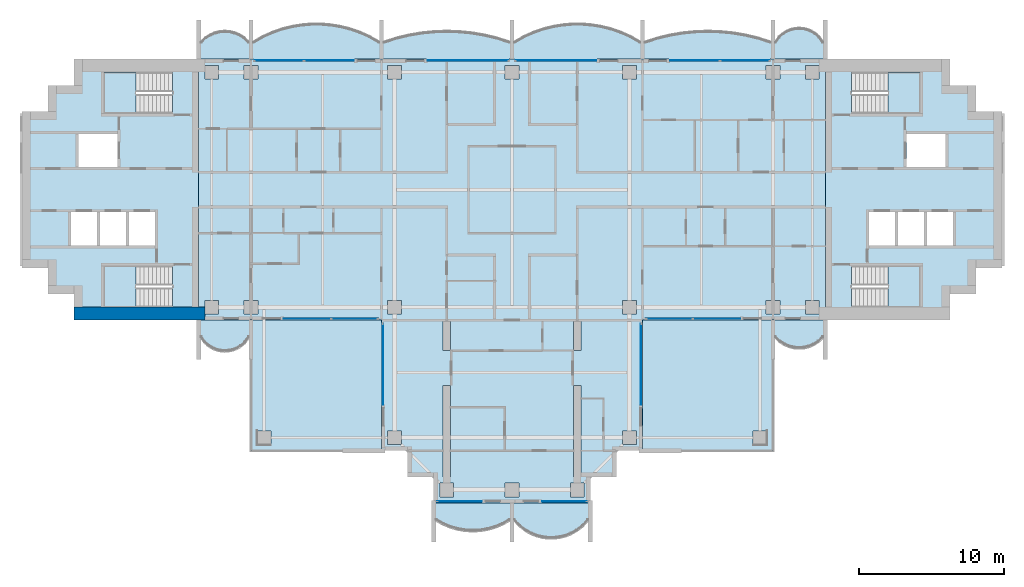
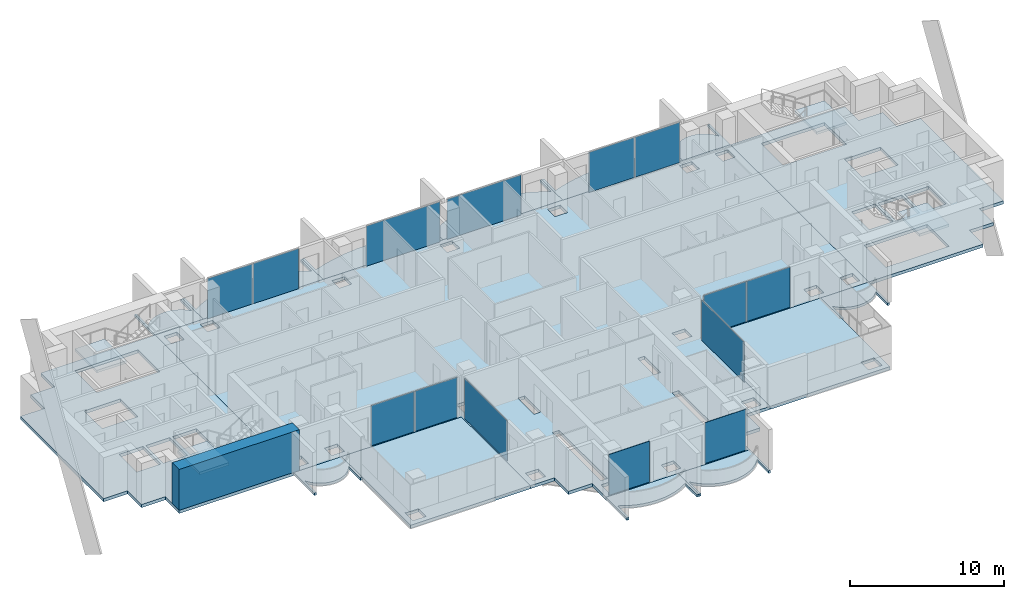
# One storey, part 7 of 17: 19 slabs, 14 plates, 1 wall, 14 elements without a shape of their own.
"""IFC4 building model written with IfcOpenShell, lengths in metres."""

from ifc_helpers import new_model, si_unit, direction, frame, frame_2d, origin, origin_2d, place, context, subcontext, project, spatial, polyline, rectangle, outline, extrude, material, layer, layer_set, type_object, element, aggregate, save


model = new_model("IFC4")

# Units and contexts
model_context = context("Model", 3, precision=1e-05, world=origin(), true_north=direction((0.0, 1.0)))
body_context = subcontext(model_context, "Body", "Model", "MODEL_VIEW")
ifc_project = project(units=[si_unit("LENGTHUNIT", "METRE"), si_unit("AREAUNIT", "SQUARE_METRE"), si_unit("VOLUMEUNIT", "CUBIC_METRE"), si_unit("PLANEANGLEUNIT", "RADIAN"), si_unit("MASSUNIT", "GRAM", prefix="KILO")], contexts=[model_context])

# Site, building, storey
site_placement = place(None, origin())
site = spatial("IfcSite", under=ifc_project, at=site_placement, CompositionType="ELEMENT")
building_placement = place(site_placement, origin())
building = spatial("IfcBuilding", under=site, at=building_placement, Name="Perihelion Cross Residences", CompositionType="ELEMENT")
storey_placement = place(building_placement, frame((0.0, 0.0, 205.10009765625)))
storey = spatial("IfcBuildingStorey", under=building, at=storey_placement, Name="L51", CompositionType="ELEMENT", Elevation=205.10009765625)

# Slabs
ifc_material_1 = material(Name="Concrete C40/50", Category="concrete")
ifc_layer_1 = layer(ifc_material_1, 0.199951171875)
ifc_layer_set_1 = layer_set([ifc_layer_1], Name="Balcony slab 200")
slab_type_1 = type_object("IfcSlabType", Name="Balcony slab 200", PredefinedType="FLOOR", material=ifc_layer_set_1)
slab_1_placement = place(storey_placement, frame((0.0, 0.0, -0.2001953125)))
element("IfcSlab", 1, at=slab_1_placement, inside=storey, type_object=slab_type_1, Name="Slab BK1 L51 east side north bay 1 balcony", PredefinedType="FLOOR", context=body_context, shape_type="SweptSolid", body=[
    extrude(outline(polyline([(21.60009765625, 9.0), (18.0, 9.0), (18.0, 11.699951171875), (18.14990234375, 11.699951171875), (18.14990234375, 10.199951171875), (18.425048828125, 10.568603515625), (18.699951171875, 10.806396484375), (18.97509765625, 10.96875), (19.25, 11.07568359375), (19.52490234375, 11.136962890625), (19.800048828125, 11.156982421875), (20.074951171875, 11.136962890625), (20.35009765625, 11.07568359375), (20.625, 10.96875), (20.89990234375, 10.806396484375), (21.175048828125, 10.568603515625), (21.449951171875, 10.199951171875), (21.449951171875, 11.699951171875), (21.60009765625, 11.699951171875), (21.60009765625, 9.0)])), origin(), (0.0, 0.0, 1.0), 0.2001953125),
])
slab_2_placement = place(storey_placement, frame((0.0, 0.0, -0.2001953125)))
element("IfcSlab", 2, at=slab_2_placement, inside=storey, type_object=slab_type_1, Name="Slab BK1 L51 east side north bay 2 balcony", PredefinedType="FLOOR", context=body_context, shape_type="SweptSolid", body=[
    extrude(outline(polyline([(18.0, 9.0), (9.0, 9.0), (9.0, 11.699951171875), (9.14990234375, 11.699951171875), (9.14990234375, 10.199951171875), (10.02001953125, 10.47509765625), (10.889892578125, 10.68505859375), (11.760009765625, 10.8330078125), (12.6298828125, 10.9208984375), (13.5, 10.949951171875), (14.3701171875, 10.9208984375), (15.239990234375, 10.8330078125), (16.110107421875, 10.68505859375), (16.97998046875, 10.47509765625), (17.85009765625, 10.199951171875), (17.85009765625, 11.699951171875), (18.0, 11.699951171875), (18.0, 9.0)])), origin(), (0.0, 0.0, 1.0), 0.2001953125),
])
slab_3_placement = place(storey_placement, frame((0.0, 0.0, -0.2001953125)))
element("IfcSlab", 3, at=slab_3_placement, inside=storey, type_object=slab_type_1, Name="Slab BK1 L51 north side east bay 1 balcony", PredefinedType="FLOOR", context=body_context, shape_type="SweptSolid", body=[
    extrude(outline(polyline([(9.0, 9.0), (0.0, 9.0), (0.0, 11.699951171875), (0.14990234375, 11.699951171875), (0.14990234375, 10.199951171875), (0.8193359375, 10.57666015625), (1.488525390625, 10.87646484375), (2.15771484375, 11.108154296875), (2.826904296875, 11.27734375), (3.49609375, 11.38818359375), (4.165283203125, 11.443115234375), (4.834716796875, 11.443115234375), (5.50390625, 11.38818359375), (6.173095703125, 11.27734375), (6.84228515625, 11.108154296875), (7.511474609375, 10.87646484375), (8.1806640625, 10.57666015625), (8.85009765625, 10.199951171875), (8.85009765625, 11.699951171875), (9.0, 11.699951171875), (9.0, 9.0)])), origin(), (0.0, 0.0, 1.0), 0.2001953125),
])
slab_4_placement = place(storey_placement, frame((0.0, 0.0, -0.2001953125)))
element("IfcSlab", 4, at=slab_4_placement, inside=storey, type_object=slab_type_1, Name="Slab BK1 L51 north side east bay 2 balcony", PredefinedType="FLOOR", context=body_context, shape_type="SweptSolid", body=[
    extrude(outline(polyline([(0.0, 9.0), (-9.0, 9.0), (-9.0, 11.699951171875), (-8.85009765625, 11.699951171875), (-8.85009765625, 10.199951171875), (-7.97998046875, 10.47509765625), (-7.110107421875, 10.68505859375), (-6.239990234375, 10.8330078125), (-5.3701171875, 10.9208984375), (-4.5, 10.949951171875), (-3.6298828125, 10.9208984375), (-2.760009765625, 10.8330078125), (-1.889892578125, 10.68505859375), (-1.02001953125, 10.47509765625), (-0.14990234375, 10.199951171875), (-0.14990234375, 11.699951171875), (0.0, 11.699951171875), (0.0, 9.0)])), origin(), (0.0, 0.0, 1.0), 0.2001953125),
])
slab_5_placement = place(storey_placement, frame((0.0, 0.0, -0.2001953125)))
element("IfcSlab", 5, at=slab_5_placement, inside=storey, type_object=slab_type_1, Name="Slab BK1 L51 west side north bay 1 balcony", PredefinedType="FLOOR", context=body_context, shape_type="SweptSolid", body=[
    extrude(outline(polyline([(-9.0, 9.0), (-18.0, 9.0), (-18.0, 11.699951171875), (-17.85009765625, 11.699951171875), (-17.85009765625, 10.199951171875), (-17.1806640625, 10.57666015625), (-16.511474609375, 10.87646484375), (-15.84228515625, 11.108154296875), (-15.173095703125, 11.27734375), (-14.50390625, 11.38818359375), (-13.834716796875, 11.443115234375), (-13.165283203125, 11.443115234375), (-12.49609375, 11.38818359375), (-11.826904296875, 11.27734375), (-11.15771484375, 11.108154296875), (-10.488525390625, 10.87646484375), (-9.8193359375, 10.57666015625), (-9.14990234375, 10.199951171875), (-9.14990234375, 11.699951171875), (-9.0, 11.699951171875), (-9.0, 9.0)])), origin(), (0.0, 0.0, 1.0), 0.2001953125),
])
slab_6_placement = place(storey_placement, frame((0.0, 0.0, -0.2001953125)))
element("IfcSlab", 6, at=slab_6_placement, inside=storey, type_object=slab_type_1, Name="Slab BK1 L51 west side north bay 2 balcony", PredefinedType="FLOOR", context=body_context, shape_type="SweptSolid", body=[
    extrude(outline(polyline([(-18.0, 9.0), (-21.60009765625, 9.0), (-21.60009765625, 11.699951171875), (-21.449951171875, 11.699951171875), (-21.449951171875, 10.199951171875), (-21.1201171875, 10.507568359375), (-20.7900390625, 10.71337890625), (-20.4599609375, 10.84814453125), (-20.1298828125, 10.925048828125), (-19.800048828125, 10.949951171875), (-19.469970703125, 10.925048828125), (-19.139892578125, 10.84814453125), (-18.81005859375, 10.71337890625), (-18.47998046875, 10.507568359375), (-18.14990234375, 10.199951171875), (-18.14990234375, 11.699951171875), (-18.0, 11.699951171875), (-18.0, 9.0)])), origin(), (0.0, 0.0, 1.0), 0.2001953125),
])
slab_7_placement = place(storey_placement, frame((0.0, 0.0, -0.2001953125)))
element("IfcSlab", 7, at=slab_7_placement, inside=storey, type_object=slab_type_1, Name="Slab BK1 L51 west side south bay 1 balcony", PredefinedType="FLOOR", context=body_context, shape_type="SweptSolid", body=[
    extrude(outline(polyline([(-21.60009765625, -9.0), (-18.0, -9.0), (-18.0, -11.699951171875), (-18.14990234375, -11.699951171875), (-18.14990234375, -10.199951171875), (-18.425048828125, -10.568603515625), (-18.699951171875, -10.806396484375), (-18.97509765625, -10.96875), (-19.25, -11.07568359375), (-19.52490234375, -11.136962890625), (-19.800048828125, -11.156982421875), (-20.074951171875, -11.136962890625), (-20.35009765625, -11.07568359375), (-20.625, -10.96875), (-20.89990234375, -10.806396484375), (-21.175048828125, -10.568603515625), (-21.449951171875, -10.199951171875), (-21.449951171875, -11.699951171875), (-21.60009765625, -11.699951171875), (-21.60009765625, -9.0)])), origin(), (0.0, 0.0, 1.0), 0.2001953125),
])
slab_8_placement = place(storey_placement, frame((0.0, 0.0, -0.2001953125)))
element("IfcSlab", 8, at=slab_8_placement, inside=storey, type_object=slab_type_1, Name="Slab BK1 L51 south tip south bay 1 balcony", PredefinedType="FLOOR", context=body_context, shape_type="SweptSolid", body=[
    extrude(outline(polyline([(-5.39990234375, -21.60009765625), (0.0, -21.60009765625), (0.0, -24.300048828125), (-0.14990234375, -24.300048828125), (-0.14990234375, -22.800048828125), (-0.659912109375, -23.085205078125), (-1.169921875, -23.294677734375), (-1.679931640625, -23.438232421875), (-2.18994140625, -23.522216796875), (-2.699951171875, -23.550048828125), (-3.2099609375, -23.522216796875), (-3.719970703125, -23.438232421875), (-4.22998046875, -23.294677734375), (-4.739990234375, -23.085205078125), (-5.25, -22.800048828125), (-5.25, -24.300048828125), (-5.39990234375, -24.300048828125), (-5.39990234375, -21.60009765625)])), origin(), (0.0, 0.0, 1.0), 0.2001953125),
])
slab_9_placement = place(storey_placement, frame((0.0, 0.0, -0.2001953125)))
element("IfcSlab", 9, at=slab_9_placement, inside=storey, type_object=slab_type_1, Name="Slab BK1 L51 south tip south bay 2 balcony", PredefinedType="FLOOR", context=body_context, shape_type="SweptSolid", body=[
    extrude(outline(polyline([(0.0, -21.60009765625), (5.39990234375, -21.60009765625), (5.39990234375, -24.300048828125), (5.25, -24.300048828125), (5.25, -22.800048828125), (4.857666015625, -23.22216796875), (4.46533203125, -23.524169921875), (4.072998046875, -23.7431640625), (3.6806640625, -23.897216796875), (3.28857421875, -23.995849609375), (2.896240234375, -24.0439453125), (2.50390625, -24.0439453125), (2.111572265625, -23.995849609375), (1.71923828125, -23.897216796875), (1.326904296875, -23.7431640625), (0.9345703125, -23.524169921875), (0.542236328125, -23.22216796875), (0.14990234375, -22.800048828125), (0.14990234375, -24.300048828125), (0.0, -24.300048828125), (0.0, -21.60009765625)])), origin(), (0.0, 0.0, 1.0), 0.2001953125),
])
slab_10_placement = place(storey_placement, frame((0.0, 0.0, -0.2001953125)))
element("IfcSlab", 10, at=slab_10_placement, inside=storey, type_object=slab_type_1, Name="Slab BK1 L51 east side south bay 2 balcony", PredefinedType="FLOOR", context=body_context, shape_type="SweptSolid", body=[
    extrude(outline(polyline([(18.0, -9.0), (21.60009765625, -9.0), (21.60009765625, -11.699951171875), (21.449951171875, -11.699951171875), (21.449951171875, -10.199951171875), (21.1201171875, -10.507568359375), (20.7900390625, -10.71337890625), (20.4599609375, -10.84814453125), (20.1298828125, -10.925048828125), (19.800048828125, -10.949951171875), (19.469970703125, -10.925048828125), (19.139892578125, -10.84814453125), (18.81005859375, -10.71337890625), (18.47998046875, -10.507568359375), (18.14990234375, -10.199951171875), (18.14990234375, -11.699951171875), (18.0, -11.699951171875), (18.0, -9.0)])), origin(), (0.0, 0.0, 1.0), 0.2001953125),
])

# Curtain wall, plates
ifc_material_2 = material(Name="Bronze anodised aluminium, tinted glazing", Category="aluminium")
curtain_wall_type = type_object("IfcCurtainWallType", Name="CW1", PredefinedType="NOTDEFINED", material=ifc_material_2)
curtain_wall_1_placement = place(storey_placement, origin())
curtain_wall_1 = element("IfcCurtainWall", 11, at=curtain_wall_1_placement, inside=storey, type_object=curtain_wall_type, Name="Curtain wall CW1 L51 east side north bay 2", PredefinedType="NOTDEFINED")
ifc_material_3 = material(Name="Tinted laminated glass", Category="glass")
ifc_layer_2 = layer(ifc_material_3, 0.028076171875)
ifc_layer_set_2 = layer_set([ifc_layer_2], Name="CW1 panel")
plate_type = type_object("IfcPlateType", Name="CW1 panel", PredefinedType="CURTAIN_PANEL", material=ifc_layer_set_2)
plate_1_placement = place(storey_placement, frame((16.06005859375, 8.89990234375, 0.0), z_axis=(0.0, 0.0, 1.0), x_axis=(-1.0, 0.0, 0.0)))
plate_1 = element("IfcPlate", 12, at=plate_1_placement, type_object=plate_type, Name="CW1 panel 1", PredefinedType="CURTAIN_PANEL", context=body_context, shape_type="SweptSolid", body=[
    extrude(rectangle(XDim=3.360107421875, YDim=0.028076171875, at=origin_2d()), origin(), (0.0, 0.0, 1.0), 3.18994140625),
])
plate_2_placement = place(storey_placement, frame((12.610107421875, 8.89990234375, 0.0), z_axis=(0.0, 0.0, 1.0), x_axis=(-1.0, 0.0, 0.0)))
plate_2 = element("IfcPlate", 13, at=plate_2_placement, type_object=plate_type, Name="CW1 panel 2", PredefinedType="CURTAIN_PANEL", context=body_context, shape_type="SweptSolid", body=[
    extrude(rectangle(XDim=3.419921875, YDim=0.028076171875, at=origin_2d()), origin(), (0.0, 0.0, 1.0), 3.18994140625),
])
aggregate(curtain_wall_1, [plate_1, plate_2])

# Curtain wall, plate
curtain_wall_2_placement = place(storey_placement, origin())
curtain_wall_2 = element("IfcCurtainWall", 14, at=curtain_wall_2_placement, inside=storey, type_object=curtain_wall_type, Name="Curtain wall CW1 L51 north side east bay 1", PredefinedType="NOTDEFINED")
plate_3_placement = place(storey_placement, frame((3.04248046875, 8.89990234375, 0.0), z_axis=(0.0, 0.0, 1.0), x_axis=(-1.0, 0.0, 0.0)))
plate_3 = element("IfcPlate", 15, at=plate_3_placement, type_object=plate_type, Name="CW1 panel 1", PredefinedType="CURTAIN_PANEL", context=body_context, shape_type="SweptSolid", body=[
    extrude(rectangle(XDim=5.56494140625, YDim=0.028076171875, at=origin_2d()), origin(), (0.0, 0.0, 1.0), 3.18994140625),
])
aggregate(curtain_wall_2, [plate_3])

curtain_wall_3_placement = place(storey_placement, origin())
curtain_wall_3 = element("IfcCurtainWall", 16, at=curtain_wall_3_placement, inside=storey, type_object=curtain_wall_type, Name="Curtain wall CW1 L51 north side east bay 2", PredefinedType="NOTDEFINED")
plate_4_placement = place(storey_placement, frame((-3.04248046875, 8.89990234375, 0.0), z_axis=(0.0, 0.0, 1.0), x_axis=(-1.0, 0.0, 0.0)))
plate_4 = element("IfcPlate", 17, at=plate_4_placement, type_object=plate_type, Name="CW1 panel 1", PredefinedType="CURTAIN_PANEL", context=body_context, shape_type="SweptSolid", body=[
    extrude(rectangle(XDim=5.56494140625, YDim=0.028076171875, at=origin_2d()), origin(), (0.0, 0.0, 1.0), 3.18994140625),
])
aggregate(curtain_wall_3, [plate_4])

# Curtain wall, plates
curtain_wall_4_placement = place(storey_placement, origin())
curtain_wall_4 = element("IfcCurtainWall", 18, at=curtain_wall_4_placement, inside=storey, type_object=curtain_wall_type, Name="Curtain wall CW1 L51 west side north bay 1", PredefinedType="NOTDEFINED")
plate_5_placement = place(storey_placement, frame((-12.610107421875, 8.89990234375, 0.0), z_axis=(0.0, 0.0, 1.0), x_axis=(-1.0, 0.0, 0.0)))
plate_5 = element("IfcPlate", 19, at=plate_5_placement, type_object=plate_type, Name="CW1 panel 1", PredefinedType="CURTAIN_PANEL", context=body_context, shape_type="SweptSolid", body=[
    extrude(rectangle(XDim=3.419921875, YDim=0.028076171875, at=origin_2d()), origin(), (0.0, 0.0, 1.0), 3.18994140625),
])
plate_6_placement = place(storey_placement, frame((-16.06005859375, 8.89990234375, 0.0), z_axis=(0.0, 0.0, 1.0), x_axis=(-1.0, 0.0, 0.0)))
plate_6 = element("IfcPlate", 20, at=plate_6_placement, type_object=plate_type, Name="CW1 panel 2", PredefinedType="CURTAIN_PANEL", context=body_context, shape_type="SweptSolid", body=[
    extrude(rectangle(XDim=3.360107421875, YDim=0.028076171875, at=origin_2d()), origin(), (0.0, 0.0, 1.0), 3.18994140625),
])
aggregate(curtain_wall_4, [plate_5, plate_6])

curtain_wall_5_placement = place(storey_placement, origin())
curtain_wall_5 = element("IfcCurtainWall", 21, at=curtain_wall_5_placement, inside=storey, type_object=curtain_wall_type, Name="Curtain wall CW1 L51 west side south bay 2", PredefinedType="NOTDEFINED")
plate_7_placement = place(storey_placement, frame((-14.108642578125, -8.89990234375, 0.0), z_axis=(0.0, 0.0, 1.0), x_axis=(1.0, 0.0, 0.0)))
plate_7 = element("IfcPlate", 22, at=plate_7_placement, type_object=plate_type, Name="CW1 panel 1", PredefinedType="CURTAIN_PANEL", context=body_context, shape_type="SweptSolid", body=[
    extrude(rectangle(XDim=3.232421875, YDim=0.028076171875, at=origin_2d()), origin(), (0.0, 0.0, 1.0), 3.18994140625),
])
plate_8_placement = place(storey_placement, frame((-10.84619140625, -8.89990234375, 0.0), z_axis=(0.0, 0.0, 1.0), x_axis=(1.0, 0.0, 0.0)))
plate_8 = element("IfcPlate", 23, at=plate_8_placement, type_object=plate_type, Name="CW1 panel 2", PredefinedType="CURTAIN_PANEL", context=body_context, shape_type="SweptSolid", body=[
    extrude(rectangle(XDim=3.172607421875, YDim=0.028076171875, at=origin_2d()), origin(), (0.0, 0.0, 1.0), 3.18994140625),
])
aggregate(curtain_wall_5, [plate_7, plate_8])

# Curtain wall, plate
curtain_wall_6_placement = place(storey_placement, origin())
curtain_wall_6 = element("IfcCurtainWall", 24, at=curtain_wall_6_placement, inside=storey, type_object=curtain_wall_type, Name="Curtain wall CW1 L51 south side west bay 1", PredefinedType="NOTDEFINED")
plate_9_placement = place(storey_placement, frame((-8.89990234375, -12.04248046875, 0.0), z_axis=(0.0, 0.0, 1.0), x_axis=(0.0, -1.0, 0.0)))
plate_9 = element("IfcPlate", 25, at=plate_9_placement, type_object=plate_type, Name="CW1 panel 1", PredefinedType="CURTAIN_PANEL", context=body_context, shape_type="SweptSolid", body=[
    extrude(rectangle(XDim=5.56494140625, YDim=0.028076171875, at=origin_2d()), origin(), (0.0, 0.0, 1.0), 3.18994140625),
])
aggregate(curtain_wall_6, [plate_9])

curtain_wall_7_placement = place(storey_placement, origin())
curtain_wall_7 = element("IfcCurtainWall", 26, at=curtain_wall_7_placement, inside=storey, type_object=curtain_wall_type, Name="Curtain wall CW1 L51 south tip south bay 1", PredefinedType="NOTDEFINED")
plate_10_placement = place(storey_placement, frame((-3.607421875, -21.5, 0.0), z_axis=(0.0, 0.0, 1.0), x_axis=(1.0, 0.0, 0.0)))
plate_10 = element("IfcPlate", 27, at=plate_10_placement, type_object=plate_type, Name="CW1 panel 1", PredefinedType="CURTAIN_PANEL", context=body_context, shape_type="SweptSolid", body=[
    extrude(rectangle(XDim=3.06494140625, YDim=0.028076171875, at=origin_2d()), origin(), (0.0, 0.0, 1.0), 3.25),
])
aggregate(curtain_wall_7, [plate_10])

curtain_wall_8_placement = place(storey_placement, origin())
curtain_wall_8 = element("IfcCurtainWall", 28, at=curtain_wall_8_placement, inside=storey, type_object=curtain_wall_type, Name="Curtain wall CW1 L51 south tip south bay 2", PredefinedType="NOTDEFINED")
plate_11_placement = place(storey_placement, frame((3.607421875, -21.5, 0.0), z_axis=(0.0, 0.0, 1.0), x_axis=(1.0, 0.0, 0.0)))
plate_11 = element("IfcPlate", 29, at=plate_11_placement, type_object=plate_type, Name="CW1 panel 1", PredefinedType="CURTAIN_PANEL", context=body_context, shape_type="SweptSolid", body=[
    extrude(rectangle(XDim=3.06494140625, YDim=0.028076171875, at=origin_2d()), origin(), (0.0, 0.0, 1.0), 3.25),
])
aggregate(curtain_wall_8, [plate_11])

curtain_wall_9_placement = place(storey_placement, origin())
curtain_wall_9 = element("IfcCurtainWall", 30, at=curtain_wall_9_placement, inside=storey, type_object=curtain_wall_type, Name="Curtain wall CW1 L51 south side east bay 1", PredefinedType="NOTDEFINED")
plate_12_placement = place(storey_placement, frame((8.89990234375, -12.04248046875, 0.0), z_axis=(0.0, 0.0, 1.0), x_axis=(0.0, 1.0, 0.0)))
plate_12 = element("IfcPlate", 31, at=plate_12_placement, type_object=plate_type, Name="CW1 panel 1", PredefinedType="CURTAIN_PANEL", context=body_context, shape_type="SweptSolid", body=[
    extrude(rectangle(XDim=5.56494140625, YDim=0.028076171875, at=origin_2d()), origin(), (0.0, 0.0, 1.0), 3.18994140625),
])
aggregate(curtain_wall_9, [plate_12])

# Curtain wall, plates
curtain_wall_10_placement = place(storey_placement, origin())
curtain_wall_10 = element("IfcCurtainWall", 32, at=curtain_wall_10_placement, inside=storey, type_object=curtain_wall_type, Name="Curtain wall CW1 L51 east side south bay 1", PredefinedType="NOTDEFINED")
plate_13_placement = place(storey_placement, frame((10.84619140625, -8.89990234375, 0.0), z_axis=(0.0, 0.0, 1.0), x_axis=(1.0, 0.0, 0.0)))
plate_13 = element("IfcPlate", 33, at=plate_13_placement, type_object=plate_type, Name="CW1 panel 1", PredefinedType="CURTAIN_PANEL", context=body_context, shape_type="SweptSolid", body=[
    extrude(rectangle(XDim=3.172607421875, YDim=0.028076171875, at=origin_2d()), origin(), (0.0, 0.0, 1.0), 3.18994140625),
])
plate_14_placement = place(storey_placement, frame((14.108642578125, -8.89990234375, 0.0), z_axis=(0.0, 0.0, 1.0), x_axis=(1.0, 0.0, 0.0)))
plate_14 = element("IfcPlate", 34, at=plate_14_placement, type_object=plate_type, Name="CW1 panel 2", PredefinedType="CURTAIN_PANEL", context=body_context, shape_type="SweptSolid", body=[
    extrude(rectangle(XDim=3.232421875, YDim=0.028076171875, at=origin_2d()), origin(), (0.0, 0.0, 1.0), 3.18994140625),
])
aggregate(curtain_wall_10, [plate_13, plate_14])

# Slabs
ifc_material_4 = material(Name="Concrete C40/50", Category="concrete")
ifc_layer_3 = layer(ifc_material_4, 0.25)
ifc_layer_set_3 = layer_set([ifc_layer_3], Name="Core floor slab 250")
slab_type_2 = type_object("IfcSlabType", Name="Core floor slab 250", PredefinedType="FLOOR", material=ifc_layer_set_3)
slab_11_placement = place(storey_placement, frame((0.0, 0.0, -0.25)))
element("IfcSlab", 35, at=slab_11_placement, inside=storey, type_object=slab_type_2, Name="East core floor slab", PredefinedType="FLOOR", context=body_context, shape_type="SweptSolid", body=[
    extrude(outline(polyline([(30.199951171875, 7.199951171875), (32.0, 7.199951171875), (32.0, 5.39990234375), (33.800048828125, 5.39990234375), (33.800048828125, -5.39990234375), (32.0, -5.39990234375), (32.0, -7.199951171875), (30.199951171875, -7.199951171875), (30.199951171875, -9.0), (21.60009765625, -9.0), (21.60009765625, 9.0), (30.199951171875, 9.0), (30.199951171875, 7.199951171875)]), holes=[polyline([(28.14990234375, -8.10009765625), (28.14990234375, -5.25), (23.405029296875, -5.25), (23.405029296875, -8.10009765625), (28.14990234375, -8.10009765625)]), polyline([(24.60009765625, -1.550048828125), (24.60009765625, -3.85009765625), (26.39990234375, -3.85009765625), (26.39990234375, -1.550048828125), (24.60009765625, -1.550048828125)]), polyline([(26.60009765625, -1.550048828125), (26.60009765625, -3.85009765625), (28.39990234375, -3.85009765625), (28.39990234375, -1.550048828125), (26.60009765625, -1.550048828125)]), polyline([(28.60009765625, -3.85009765625), (30.39990234375, -3.85009765625), (30.39990234375, -1.550048828125), (28.60009765625, -1.550048828125), (28.60009765625, -3.85009765625)]), polyline([(27.199951171875, 3.85009765625), (27.199951171875, 1.550048828125), (29.89990234375, 1.550048828125), (29.89990234375, 3.85009765625), (27.199951171875, 3.85009765625)]), polyline([(23.405029296875, 5.25), (28.14990234375, 5.25), (28.14990234375, 8.10009765625), (23.405029296875, 8.10009765625), (23.405029296875, 5.25)])]), origin(), (0.0, 0.0, 1.0), 0.25),
])
slab_12_placement = place(storey_placement, frame((0.0, 0.0, -0.25)))
element("IfcSlab", 36, at=slab_12_placement, inside=storey, type_object=slab_type_2, Name="West core floor slab", PredefinedType="FLOOR", context=body_context, shape_type="SweptSolid", body=[
    extrude(outline(polyline([(-30.199951171875, 7.199951171875), (-32.0, 7.199951171875), (-32.0, 5.39990234375), (-33.800048828125, 5.39990234375), (-33.800048828125, -5.39990234375), (-32.0, -5.39990234375), (-32.0, -7.199951171875), (-30.199951171875, -7.199951171875), (-30.199951171875, -9.0), (-21.60009765625, -9.0), (-21.60009765625, 9.0), (-30.199951171875, 9.0), (-30.199951171875, 7.199951171875)]), holes=[polyline([(-28.14990234375, -8.10009765625), (-28.14990234375, -5.25), (-23.405029296875, -5.25), (-23.405029296875, -8.10009765625), (-28.14990234375, -8.10009765625)]), polyline([(-24.60009765625, -1.550048828125), (-24.60009765625, -3.85009765625), (-26.39990234375, -3.85009765625), (-26.39990234375, -1.550048828125), (-24.60009765625, -1.550048828125)]), polyline([(-26.60009765625, -1.550048828125), (-26.60009765625, -3.85009765625), (-28.39990234375, -3.85009765625), (-28.39990234375, -1.550048828125), (-26.60009765625, -1.550048828125)]), polyline([(-28.60009765625, -3.85009765625), (-30.39990234375, -3.85009765625), (-30.39990234375, -1.550048828125), (-28.60009765625, -1.550048828125), (-28.60009765625, -3.85009765625)]), polyline([(-27.199951171875, 3.85009765625), (-27.199951171875, 1.550048828125), (-29.89990234375, 1.550048828125), (-29.89990234375, 3.85009765625), (-27.199951171875, 3.85009765625)]), polyline([(-23.405029296875, 5.25), (-28.14990234375, 5.25), (-28.14990234375, 8.10009765625), (-23.405029296875, 8.10009765625), (-23.405029296875, 5.25)])]), origin(), (0.0, 0.0, 1.0), 0.25),
])
ifc_material_5 = material(Name="Concrete C40/50", Category="concrete")
ifc_layer_4 = layer(ifc_material_5, 0.25)
ifc_layer_set_4 = layer_set([ifc_layer_4], Name="Corner terrace slab")
slab_type_3 = type_object("IfcSlabType", Name="Corner terrace slab", PredefinedType="FLOOR", material=ifc_layer_set_4)
slab_13_placement = place(storey_placement, frame((0.0, 0.0, -0.25)))
element("IfcSlab", 37, at=slab_13_placement, inside=storey, type_object=slab_type_3, Name="Slab BK2 L51 pocket south-west", PredefinedType="FLOOR", context=body_context, shape_type="SweptSolid", body=[
    extrude(outline(polyline([(-9.0, -18.0), (-9.0, -9.0), (-18.0, -9.0), (-18.0, -18.0), (-9.0, -18.0)]), holes=[polyline([(-16.625, -17.614990234375), (-17.614990234375, -17.614990234375), (-17.614990234375, -16.5849609375), (-17.574951171875, -16.5849609375), (-17.574951171875, -16.625), (-16.625, -16.625), (-16.625, -17.614990234375)])]), origin(), (0.0, 0.0, 1.0), 0.25),
])
slab_14_placement = place(storey_placement, frame((0.0, 0.0, -0.25)))
element("IfcSlab", 38, at=slab_14_placement, inside=storey, type_object=slab_type_3, Name="Slab BK2 L51 pocket south-east", PredefinedType="FLOOR", context=body_context, shape_type="SweptSolid", body=[
    extrude(outline(polyline([(18.0, -18.0), (18.0, -9.0), (9.0, -9.0), (9.0, -18.0), (18.0, -18.0)]), holes=[polyline([(16.625, -17.614990234375), (16.625, -16.625), (17.574951171875, -16.625), (17.574951171875, -16.5849609375), (17.614990234375, -16.5849609375), (17.614990234375, -17.614990234375), (16.625, -17.614990234375)])]), origin(), (0.0, 0.0, 1.0), 0.25),
])

# Stair, slab
ifc_material_6 = material(Name="Concrete C40/50", Category="concrete")
stair_type = type_object("IfcStairType", Name="Exit stair, half-turn", PredefinedType="HALF_TURN_STAIR", material=ifc_material_6)
stair_1_placement = place(storey_placement, origin())
stair_1 = element("IfcStair", 39, at=stair_1_placement, inside=storey, type_object=stair_type, Name="L51 East core exit stair 1", PredefinedType="HALF_TURN_STAIR")
ifc_material_7 = material(Name="Concrete C40/50", Category="concrete")
ifc_layer_5 = layer(ifc_material_7, 0.199951171875)
ifc_layer_set_5 = layer_set([ifc_layer_5], Name="Exit stair landing 200")
slab_type_4 = type_object("IfcSlabType", Name="Exit stair landing 200", PredefinedType="LANDING", material=ifc_layer_set_5)
slab_15_placement = place(storey_placement, frame((0.0, 0.0, 1.5498046875)))
slab_15 = element("IfcSlab", 40, at=slab_15_placement, type_object=slab_type_4, Name="ST-E1 landing 1", PredefinedType="LANDING", context=body_context, shape_type="SweptSolid", body=[
    extrude(outline(polyline([(25.919921875, 5.25), (28.14990234375, 5.25), (28.14990234375, 8.10009765625), (25.919921875, 8.10009765625), (25.919921875, 5.25)])), origin(), (0.0, 0.0, 1.0), 0.2001953125),
])
aggregate(stair_1, [slab_15])

stair_2_placement = place(storey_placement, origin())
stair_2 = element("IfcStair", 41, at=stair_2_placement, inside=storey, type_object=stair_type, Name="L51 East core exit stair 2", PredefinedType="HALF_TURN_STAIR")
slab_16_placement = place(storey_placement, frame((0.0, 0.0, 1.5498046875)))
slab_16 = element("IfcSlab", 42, at=slab_16_placement, type_object=slab_type_4, Name="ST-E2 landing 1", PredefinedType="LANDING", context=body_context, shape_type="SweptSolid", body=[
    extrude(outline(polyline([(25.919921875, -8.10009765625), (28.14990234375, -8.10009765625), (28.14990234375, -5.25), (25.919921875, -5.25), (25.919921875, -8.10009765625)])), origin(), (0.0, 0.0, 1.0), 0.2001953125),
])
aggregate(stair_2, [slab_16])

stair_3_placement = place(storey_placement, origin())
stair_3 = element("IfcStair", 43, at=stair_3_placement, inside=storey, type_object=stair_type, Name="L51 West core exit stair 1", PredefinedType="HALF_TURN_STAIR")
slab_17_placement = place(storey_placement, frame((0.0, 0.0, 1.5498046875)))
slab_17 = element("IfcSlab", 44, at=slab_17_placement, type_object=slab_type_4, Name="ST-W1 landing 1", PredefinedType="LANDING", context=body_context, shape_type="SweptSolid", body=[
    extrude(outline(polyline([(-25.919921875, 8.10009765625), (-28.14990234375, 8.10009765625), (-28.14990234375, 5.25), (-25.919921875, 5.25), (-25.919921875, 8.10009765625)])), origin(), (0.0, 0.0, 1.0), 0.2001953125),
])
aggregate(stair_3, [slab_17])

stair_4_placement = place(storey_placement, origin())
stair_4 = element("IfcStair", 45, at=stair_4_placement, inside=storey, type_object=stair_type, Name="L51 West core exit stair 2", PredefinedType="HALF_TURN_STAIR")
slab_18_placement = place(storey_placement, frame((0.0, 0.0, 1.5498046875)))
slab_18 = element("IfcSlab", 46, at=slab_18_placement, type_object=slab_type_4, Name="ST-W2 landing 1", PredefinedType="LANDING", context=body_context, shape_type="SweptSolid", body=[
    extrude(outline(polyline([(-25.919921875, -5.25), (-28.14990234375, -5.25), (-28.14990234375, -8.10009765625), (-25.919921875, -8.10009765625), (-25.919921875, -5.25)])), origin(), (0.0, 0.0, 1.0), 0.2001953125),
])
aggregate(stair_4, [slab_18])

# Slab
ifc_material_8 = material(Name="Concrete C50/60", Category="concrete")
ifc_layer_6 = layer(ifc_material_8, 0.25)
ifc_layer_set_6 = layer_set([ifc_layer_6], Name="Residential floor post-tensioned slab concrete C50/60")
slab_type_5 = type_object("IfcSlabType", Name="Residential floor post-tensioned slab concrete C50/60", PredefinedType="FLOOR", material=ifc_layer_set_6)
slab_19_placement = place(storey_placement, frame((0.0, 0.0, -0.25)))
element("IfcSlab", 47, at=slab_19_placement, inside=storey, type_object=slab_type_5, Name="Slab SL8 L51 1 no. 1", PredefinedType="FLOOR", context=body_context, shape_type="SweptSolid", body=[
    extrude(outline(polyline([(-9.0, 9.0), (9.0, 9.0), (21.60009765625, 9.0), (21.60009765625, -9.0), (9.0, -9.0), (9.0, -18.0), (7.199951171875, -18.0), (7.199951171875, -19.800048828125), (5.39990234375, -19.800048828125), (5.39990234375, -21.60009765625), (-5.39990234375, -21.60009765625), (-5.39990234375, -19.800048828125), (-7.199951171875, -19.800048828125), (-7.199951171875, -18.0), (-9.0, -18.0), (-9.0, -9.0), (-21.60009765625, -9.0), (-21.60009765625, 9.0), (-9.0, 9.0)]), holes=[polyline([(-4.02490234375, -20.22509765625), (-4.97509765625, -20.22509765625), (-4.97509765625, -21.175048828125), (-4.02490234375, -21.175048828125), (-4.02490234375, -20.22509765625)]), polyline([(0.47509765625, -21.175048828125), (0.47509765625, -20.22509765625), (-0.47509765625, -20.22509765625), (-0.47509765625, -21.175048828125), (0.47509765625, -21.175048828125)]), polyline([(-7.625, -17.574951171875), (-7.625, -16.625), (-8.574951171875, -16.625), (-8.574951171875, -17.574951171875), (-7.625, -17.574951171875)]), polyline([(-4.25, -13.5), (-4.75, -13.5), (-4.75, -19.800048828125), (-4.25, -19.800048828125), (-4.25, -13.5)]), polyline([(-4.25, -11.10009765625), (-4.25, -9.0), (-4.75, -9.0), (-4.75, -11.10009765625), (-4.25, -11.10009765625)]), polyline([(-20.22509765625, -8.574951171875), (-20.22509765625, -7.625), (-21.175048828125, -7.625), (-21.175048828125, -8.574951171875), (-20.22509765625, -8.574951171875)]), polyline([(-17.52490234375, -7.625), (-18.47509765625, -7.625), (-18.47509765625, -8.574951171875), (-17.52490234375, -8.574951171875), (-17.52490234375, -7.625)]), polyline([(-7.625, -8.574951171875), (-7.625, -7.625), (-8.574951171875, -7.625), (-8.574951171875, -8.574951171875), (-7.625, -8.574951171875)]), polyline([(-20.22509765625, 8.574951171875), (-21.175048828125, 8.574951171875), (-21.175048828125, 7.625), (-20.22509765625, 7.625), (-20.22509765625, 8.574951171875)]), polyline([(-17.52490234375, 7.625), (-17.52490234375, 8.574951171875), (-18.47509765625, 8.574951171875), (-18.47509765625, 7.625), (-17.52490234375, 7.625)]), polyline([(-7.625, 7.625), (-7.625, 8.574951171875), (-8.574951171875, 8.574951171875), (-8.574951171875, 7.625), (-7.625, 7.625)]), polyline([(4.97509765625, -20.22509765625), (4.02490234375, -20.22509765625), (4.02490234375, -21.175048828125), (4.97509765625, -21.175048828125), (4.97509765625, -20.22509765625)]), polyline([(8.574951171875, -17.574951171875), (8.574951171875, -16.625), (7.625, -16.625), (7.625, -17.574951171875), (8.574951171875, -17.574951171875)]), polyline([(4.75, -19.800048828125), (4.75, -13.5), (4.25, -13.5), (4.25, -19.800048828125), (4.75, -19.800048828125)]), polyline([(4.75, -9.0), (4.25, -9.0), (4.25, -11.10009765625), (4.75, -11.10009765625), (4.75, -9.0)]), polyline([(8.574951171875, -8.574951171875), (8.574951171875, -7.625), (7.625, -7.625), (7.625, -8.574951171875), (8.574951171875, -8.574951171875)]), polyline([(18.47509765625, -8.574951171875), (18.47509765625, -7.625), (17.52490234375, -7.625), (17.52490234375, -8.574951171875), (18.47509765625, -8.574951171875)]), polyline([(21.175048828125, -7.625), (20.22509765625, -7.625), (20.22509765625, -8.574951171875), (21.175048828125, -8.574951171875), (21.175048828125, -7.625)]), polyline([(0.47509765625, 7.625), (0.47509765625, 8.574951171875), (-0.47509765625, 8.574951171875), (-0.47509765625, 7.625), (0.47509765625, 7.625)]), polyline([(8.574951171875, 8.574951171875), (7.625, 8.574951171875), (7.625, 7.625), (8.574951171875, 7.625), (8.574951171875, 8.574951171875)]), polyline([(18.47509765625, 7.625), (18.47509765625, 8.574951171875), (17.52490234375, 8.574951171875), (17.52490234375, 7.625), (18.47509765625, 7.625)]), polyline([(21.175048828125, 7.625), (21.175048828125, 8.574951171875), (20.22509765625, 8.574951171875), (20.22509765625, 7.625), (21.175048828125, 7.625)])]), origin(), (0.0, 0.0, 1.0), 0.25),
])

# Wall
ifc_material_9 = material(Name="Concrete C60/75", Category="concrete")
ifc_layer_7 = layer(ifc_material_9, 0.89990234375)
ifc_layer_set_7 = layer_set([ifc_layer_7], Name="Core wall, outer 900")
wall_type = type_object("IfcWallType", Name="Core wall, outer 900", PredefinedType="SHEAR", material=ifc_layer_set_7)
wall_placement = place(storey_placement, frame((-30.199951171875, -8.550048828125, 0.0), z_axis=(0.0, 0.0, 1.0), x_axis=(1.0, 0.0, 0.0)))
element("IfcWall", 48, at=wall_placement, inside=storey, type_object=wall_type, Name="West core core wall, outer", PredefinedType="SHEAR", context=body_context, shape_type="SweptSolid", body=[
    extrude(rectangle(XDim=9.02490234375, YDim=0.89990234375, at=frame_2d((4.512451171875, 0.0))), origin(), (0.0, 0.0, 1.0), 3.25),
])

save(model, "model.ifc")
